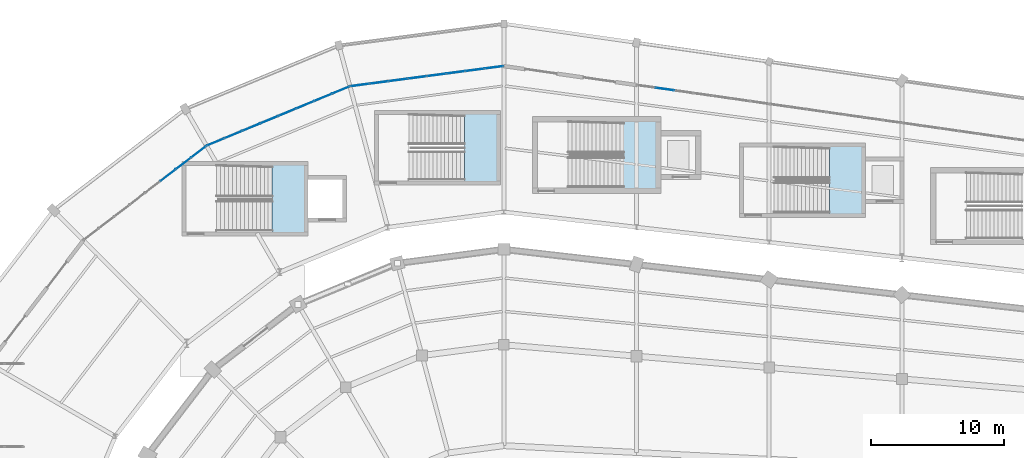
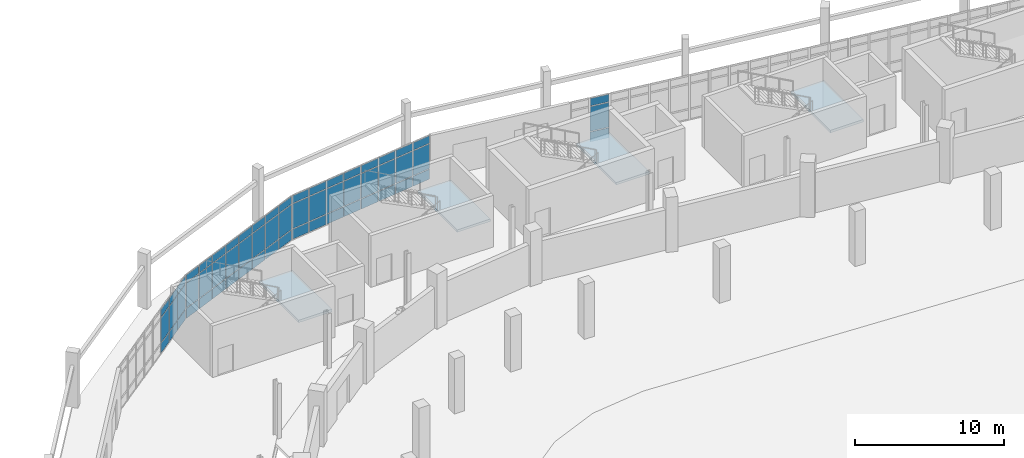
# One storey, part 88 of 122: 60 plates, 4 slabs, 8 elements without a shape of their own.
"""IFC4 building model written with IfcOpenShell, lengths in metres."""

from ifc_helpers import new_model, si_unit, direction, frame, origin, origin_2d, place, context, subcontext, project, spatial, polyline, rectangle, outline, extrude, material, layer, layer_set, type_object, element, aggregate, save


model = new_model("IFC4")

# Units and contexts
model_context = context("Model", 3, precision=1e-05, world=origin(), true_north=direction((0.0, 1.0)))
body_context = subcontext(model_context, "Body", "Model", "MODEL_VIEW")
ifc_project = project(units=[si_unit("LENGTHUNIT", "METRE"), si_unit("AREAUNIT", "SQUARE_METRE"), si_unit("VOLUMEUNIT", "CUBIC_METRE"), si_unit("PLANEANGLEUNIT", "RADIAN"), si_unit("MASSUNIT", "GRAM", prefix="KILO")], contexts=[model_context])

# Site, building, storey
site_placement = place(None, origin())
site = spatial("IfcSite", under=ifc_project, at=site_placement, CompositionType="ELEMENT")
building_placement = place(site_placement, origin())
building = spatial("IfcBuilding", under=site, at=building_placement, Name="Sohan Crest Arena", CompositionType="ELEMENT")
storey_placement = place(building_placement, origin())
storey = spatial("IfcBuildingStorey", under=building, at=storey_placement, Name="L00", CompositionType="ELEMENT", Elevation=0.0)

# Curtain wall, plates
ifc_material_1 = material(Name="Thermally broken anodised aluminium", Category="aluminium")
ifc_layer_1 = layer(ifc_material_1, 0.179931640625, Name="Thermally broken anodised aluminium")
ifc_layer_set_1 = layer_set([ifc_layer_1], Name="Thermally broken anodised aluminium")
curtain_wall_type = type_object("IfcCurtainWallType", Name="ARC-CW01", PredefinedType="NOTDEFINED", material=ifc_layer_set_1)
curtain_wall_1_placement = place(storey_placement, origin())
curtain_wall_1 = element("IfcCurtainWall", 1, at=curtain_wall_1_placement, inside=storey, type_object=curtain_wall_type, Name="Unitised curtain wall CW-001", PredefinedType="NOTDEFINED")
ifc_material_2 = material(Name="Low-E double-glazed insulated glass", Category="glass")
ifc_layer_2 = layer(ifc_material_2, 0.028076171875, Name="Low-E double-glazed insulated glass")
ifc_layer_set_2 = layer_set([ifc_layer_2], Name="Low-E double-glazed insulated glass")
plate_type = type_object("IfcPlateType", Name="ARC-CNP01", PredefinedType="CURTAIN_PANEL", material=ifc_layer_set_2)
plate_1_placement = place(storey_placement, frame((97.260498046875, 122.70263671875, 0.06005859375), z_axis=(0.0, 0.0, 1.0), x_axis=(-0.991439446395, -0.13056731648, 0.0)))
plate_1 = element("IfcPlate", 2, at=plate_1_placement, type_object=plate_type, Name="CW-001 panel 1.1", PredefinedType="CURTAIN_PANEL", context=body_context, shape_type="SweptSolid", body=[
    extrude(rectangle(XDim=1.371826171875, YDim=0.028076171875, at=origin_2d()), origin(), (0.0, 0.0, 1.0), 0.81005859375),
])
plate_2_placement = place(storey_placement, frame((97.260498046875, 122.70263671875, 0.929931640625), z_axis=(0.0, 0.0, 1.0), x_axis=(-0.991439446395, -0.13056731648, 0.0)))
plate_2 = element("IfcPlate", 3, at=plate_2_placement, type_object=plate_type, Name="CW-001 panel 1.2", PredefinedType="CURTAIN_PANEL", context=body_context, shape_type="SweptSolid", body=[
    extrude(rectangle(XDim=1.371826171875, YDim=0.028076171875, at=origin_2d()), origin(), (0.0, 0.0, 1.0), 2.02001953125),
])
plate_3_placement = place(storey_placement, frame((97.260498046875, 122.70263671875, 3.009765625), z_axis=(0.0, 0.0, 1.0), x_axis=(-0.991439446395, -0.13056731648, 0.0)))
plate_3 = element("IfcPlate", 4, at=plate_3_placement, type_object=plate_type, Name="CW-001 panel 1.3", PredefinedType="CURTAIN_PANEL", context=body_context, shape_type="SweptSolid", body=[
    extrude(rectangle(XDim=1.371826171875, YDim=0.028076171875, at=origin_2d()), origin(), (0.0, 0.0, 1.0), 0.610107421875),
])
plate_4_placement = place(storey_placement, frame((95.825927734375, 122.513671875, 0.06005859375), z_axis=(0.0, 0.0, 1.0), x_axis=(-0.991439446395, -0.13056731648, 0.0)))
plate_4 = element("IfcPlate", 5, at=plate_4_placement, type_object=plate_type, Name="CW-001 panel 2.1", PredefinedType="CURTAIN_PANEL", context=body_context, shape_type="SweptSolid", body=[
    extrude(rectangle(XDim=1.40185546875, YDim=0.028076171875, at=origin_2d()), origin(), (0.0, 0.0, 1.0), 0.81005859375),
])
plate_5_placement = place(storey_placement, frame((95.825927734375, 122.513671875, 0.929931640625), z_axis=(0.0, 0.0, 1.0), x_axis=(-0.991439446395, -0.13056731648, 0.0)))
plate_5 = element("IfcPlate", 6, at=plate_5_placement, type_object=plate_type, Name="CW-001 panel 2.2", PredefinedType="CURTAIN_PANEL", context=body_context, shape_type="SweptSolid", body=[
    extrude(rectangle(XDim=1.40185546875, YDim=0.028076171875, at=origin_2d()), origin(), (0.0, 0.0, 1.0), 2.02001953125),
])
plate_6_placement = place(storey_placement, frame((95.825927734375, 122.513671875, 3.009765625), z_axis=(0.0, 0.0, 1.0), x_axis=(-0.991439446395, -0.13056731648, 0.0)))
plate_6 = element("IfcPlate", 7, at=plate_6_placement, type_object=plate_type, Name="CW-001 panel 2.3", PredefinedType="CURTAIN_PANEL", context=body_context, shape_type="SweptSolid", body=[
    extrude(rectangle(XDim=1.40185546875, YDim=0.028076171875, at=origin_2d()), origin(), (0.0, 0.0, 1.0), 0.610107421875),
])
plate_7_placement = place(storey_placement, frame((94.37646484375, 122.32275390625, 0.06005859375), z_axis=(0.0, 0.0, 1.0), x_axis=(-0.991439446395, -0.13056731648, 0.0)))
plate_7 = element("IfcPlate", 8, at=plate_7_placement, type_object=plate_type, Name="CW-001 panel 3.1", PredefinedType="CURTAIN_PANEL", context=body_context, shape_type="SweptSolid", body=[
    extrude(rectangle(XDim=1.40185546875, YDim=0.028076171875, at=origin_2d()), origin(), (0.0, 0.0, 1.0), 0.81005859375),
])
plate_8_placement = place(storey_placement, frame((94.37646484375, 122.32275390625, 0.929931640625), z_axis=(0.0, 0.0, 1.0), x_axis=(-0.991439446395, -0.13056731648, 0.0)))
plate_8 = element("IfcPlate", 9, at=plate_8_placement, type_object=plate_type, Name="CW-001 panel 3.2", PredefinedType="CURTAIN_PANEL", context=body_context, shape_type="SweptSolid", body=[
    extrude(rectangle(XDim=1.40185546875, YDim=0.028076171875, at=origin_2d()), origin(), (0.0, 0.0, 1.0), 2.02001953125),
])
plate_9_placement = place(storey_placement, frame((94.37646484375, 122.32275390625, 3.009765625), z_axis=(0.0, 0.0, 1.0), x_axis=(-0.991439446395, -0.13056731648, 0.0)))
plate_9 = element("IfcPlate", 10, at=plate_9_placement, type_object=plate_type, Name="CW-001 panel 3.3", PredefinedType="CURTAIN_PANEL", context=body_context, shape_type="SweptSolid", body=[
    extrude(rectangle(XDim=1.40185546875, YDim=0.028076171875, at=origin_2d()), origin(), (0.0, 0.0, 1.0), 0.610107421875),
])
plate_10_placement = place(storey_placement, frame((92.92724609375, 122.1318359375, 0.06005859375), z_axis=(0.0, 0.0, 1.0), x_axis=(-0.991439446395, -0.13056731648, 0.0)))
plate_10 = element("IfcPlate", 11, at=plate_10_placement, type_object=plate_type, Name="CW-001 panel 4.1", PredefinedType="CURTAIN_PANEL", context=body_context, shape_type="SweptSolid", body=[
    extrude(rectangle(XDim=1.40185546875, YDim=0.028076171875, at=origin_2d()), origin(), (0.0, 0.0, 1.0), 0.81005859375),
])
plate_11_placement = place(storey_placement, frame((92.92724609375, 122.1318359375, 0.929931640625), z_axis=(0.0, 0.0, 1.0), x_axis=(-0.991439446395, -0.13056731648, 0.0)))
plate_11 = element("IfcPlate", 12, at=plate_11_placement, type_object=plate_type, Name="CW-001 panel 4.2", PredefinedType="CURTAIN_PANEL", context=body_context, shape_type="SweptSolid", body=[
    extrude(rectangle(XDim=1.40185546875, YDim=0.028076171875, at=origin_2d()), origin(), (0.0, 0.0, 1.0), 2.02001953125),
])
plate_12_placement = place(storey_placement, frame((92.92724609375, 122.1318359375, 3.009765625), z_axis=(0.0, 0.0, 1.0), x_axis=(-0.991439446395, -0.13056731648, 0.0)))
plate_12 = element("IfcPlate", 13, at=plate_12_placement, type_object=plate_type, Name="CW-001 panel 4.3", PredefinedType="CURTAIN_PANEL", context=body_context, shape_type="SweptSolid", body=[
    extrude(rectangle(XDim=1.40185546875, YDim=0.028076171875, at=origin_2d()), origin(), (0.0, 0.0, 1.0), 0.610107421875),
])
plate_13_placement = place(storey_placement, frame((91.477783203125, 121.941162109375, 0.06005859375), z_axis=(0.0, 0.0, 1.0), x_axis=(-0.991439446395, -0.13056731648, 0.0)))
plate_13 = element("IfcPlate", 14, at=plate_13_placement, type_object=plate_type, Name="CW-001 panel 5.1", PredefinedType="CURTAIN_PANEL", context=body_context, shape_type="SweptSolid", body=[
    extrude(rectangle(XDim=1.40185546875, YDim=0.028076171875, at=origin_2d()), origin(), (0.0, 0.0, 1.0), 0.81005859375),
])
plate_14_placement = place(storey_placement, frame((91.477783203125, 121.941162109375, 0.929931640625), z_axis=(0.0, 0.0, 1.0), x_axis=(-0.991439446395, -0.13056731648, 0.0)))
plate_14 = element("IfcPlate", 15, at=plate_14_placement, type_object=plate_type, Name="CW-001 panel 5.2", PredefinedType="CURTAIN_PANEL", context=body_context, shape_type="SweptSolid", body=[
    extrude(rectangle(XDim=1.40185546875, YDim=0.028076171875, at=origin_2d()), origin(), (0.0, 0.0, 1.0), 2.02001953125),
])
plate_15_placement = place(storey_placement, frame((91.477783203125, 121.941162109375, 3.009765625), z_axis=(0.0, 0.0, 1.0), x_axis=(-0.991439446395, -0.13056731648, 0.0)))
plate_15 = element("IfcPlate", 16, at=plate_15_placement, type_object=plate_type, Name="CW-001 panel 5.3", PredefinedType="CURTAIN_PANEL", context=body_context, shape_type="SweptSolid", body=[
    extrude(rectangle(XDim=1.40185546875, YDim=0.028076171875, at=origin_2d()), origin(), (0.0, 0.0, 1.0), 0.610107421875),
])
plate_16_placement = place(storey_placement, frame((90.0283203125, 121.750244140625, 0.06005859375), z_axis=(0.0, 0.0, 1.0), x_axis=(-0.991439446395, -0.13056731648, 0.0)))
plate_16 = element("IfcPlate", 17, at=plate_16_placement, type_object=plate_type, Name="CW-001 panel 6.1", PredefinedType="CURTAIN_PANEL", context=body_context, shape_type="SweptSolid", body=[
    extrude(rectangle(XDim=1.40185546875, YDim=0.028076171875, at=origin_2d()), origin(), (0.0, 0.0, 1.0), 0.81005859375),
])
plate_17_placement = place(storey_placement, frame((90.0283203125, 121.750244140625, 0.929931640625), z_axis=(0.0, 0.0, 1.0), x_axis=(-0.991439446395, -0.13056731648, 0.0)))
plate_17 = element("IfcPlate", 18, at=plate_17_placement, type_object=plate_type, Name="CW-001 panel 6.2", PredefinedType="CURTAIN_PANEL", context=body_context, shape_type="SweptSolid", body=[
    extrude(rectangle(XDim=1.40185546875, YDim=0.028076171875, at=origin_2d()), origin(), (0.0, 0.0, 1.0), 2.02001953125),
])
plate_18_placement = place(storey_placement, frame((90.0283203125, 121.750244140625, 3.009765625), z_axis=(0.0, 0.0, 1.0), x_axis=(-0.991439446395, -0.13056731648, 0.0)))
plate_18 = element("IfcPlate", 19, at=plate_18_placement, type_object=plate_type, Name="CW-001 panel 6.3", PredefinedType="CURTAIN_PANEL", context=body_context, shape_type="SweptSolid", body=[
    extrude(rectangle(XDim=1.40185546875, YDim=0.028076171875, at=origin_2d()), origin(), (0.0, 0.0, 1.0), 0.610107421875),
])
plate_19_placement = place(storey_placement, frame((88.5791015625, 121.559326171875, 0.06005859375), z_axis=(0.0, 0.0, 1.0), x_axis=(-0.991439446395, -0.13056731648, 0.0)))
plate_19 = element("IfcPlate", 20, at=plate_19_placement, type_object=plate_type, Name="CW-001 panel 7.1", PredefinedType="CURTAIN_PANEL", context=body_context, shape_type="SweptSolid", body=[
    extrude(rectangle(XDim=1.40185546875, YDim=0.028076171875, at=origin_2d()), origin(), (0.0, 0.0, 1.0), 0.81005859375),
])
plate_20_placement = place(storey_placement, frame((88.5791015625, 121.559326171875, 0.929931640625), z_axis=(0.0, 0.0, 1.0), x_axis=(-0.991439446395, -0.13056731648, 0.0)))
plate_20 = element("IfcPlate", 21, at=plate_20_placement, type_object=plate_type, Name="CW-001 panel 7.2", PredefinedType="CURTAIN_PANEL", context=body_context, shape_type="SweptSolid", body=[
    extrude(rectangle(XDim=1.40185546875, YDim=0.028076171875, at=origin_2d()), origin(), (0.0, 0.0, 1.0), 2.02001953125),
])
plate_21_placement = place(storey_placement, frame((88.5791015625, 121.559326171875, 3.009765625), z_axis=(0.0, 0.0, 1.0), x_axis=(-0.991439446395, -0.13056731648, 0.0)))
plate_21 = element("IfcPlate", 22, at=plate_21_placement, type_object=plate_type, Name="CW-001 panel 7.3", PredefinedType="CURTAIN_PANEL", context=body_context, shape_type="SweptSolid", body=[
    extrude(rectangle(XDim=1.40185546875, YDim=0.028076171875, at=origin_2d()), origin(), (0.0, 0.0, 1.0), 0.610107421875),
])
plate_22_placement = place(storey_placement, frame((87.14453125, 121.370361328125, 0.06005859375), z_axis=(0.0, 0.0, 1.0), x_axis=(-0.991439446395, -0.13056731648, 0.0)))
plate_22 = element("IfcPlate", 23, at=plate_22_placement, type_object=plate_type, Name="CW-001 panel 8.1", PredefinedType="CURTAIN_PANEL", context=body_context, shape_type="SweptSolid", body=[
    extrude(rectangle(XDim=1.371826171875, YDim=0.028076171875, at=origin_2d()), origin(), (0.0, 0.0, 1.0), 0.81005859375),
])
plate_23_placement = place(storey_placement, frame((87.14453125, 121.370361328125, 0.929931640625), z_axis=(0.0, 0.0, 1.0), x_axis=(-0.991439446395, -0.13056731648, 0.0)))
plate_23 = element("IfcPlate", 24, at=plate_23_placement, type_object=plate_type, Name="CW-001 panel 8.2", PredefinedType="CURTAIN_PANEL", context=body_context, shape_type="SweptSolid", body=[
    extrude(rectangle(XDim=1.371826171875, YDim=0.028076171875, at=origin_2d()), origin(), (0.0, 0.0, 1.0), 2.02001953125),
])
plate_24_placement = place(storey_placement, frame((87.14453125, 121.370361328125, 3.009765625), z_axis=(0.0, 0.0, 1.0), x_axis=(-0.991439446395, -0.13056731648, 0.0)))
plate_24 = element("IfcPlate", 25, at=plate_24_placement, type_object=plate_type, Name="CW-001 panel 8.3", PredefinedType="CURTAIN_PANEL", context=body_context, shape_type="SweptSolid", body=[
    extrude(rectangle(XDim=1.371826171875, YDim=0.028076171875, at=origin_2d()), origin(), (0.0, 0.0, 1.0), 0.610107421875),
])
aggregate(curtain_wall_1, [plate_1, plate_2, plate_3, plate_4, plate_5, plate_6, plate_7, plate_8, plate_9, plate_10, plate_11, plate_12, plate_13, plate_14, plate_15, plate_16, plate_17, plate_18, plate_19, plate_20, plate_21, plate_22, plate_23, plate_24])

curtain_wall_2_placement = place(storey_placement, origin())
curtain_wall_2 = element("IfcCurtainWall", 26, at=curtain_wall_2_placement, inside=storey, type_object=curtain_wall_type, Name="Unitised curtain wall CW-002", PredefinedType="NOTDEFINED")
plate_25_placement = place(storey_placement, frame((85.7158203125, 120.987548828125, 0.06005859375), z_axis=(0.0, 0.0, 1.0), x_axis=(-0.923896991255, -0.38264128051, 0.0)))
plate_25 = element("IfcPlate", 27, at=plate_25_placement, type_object=plate_type, Name="CW-002 panel 1.1", PredefinedType="CURTAIN_PANEL", context=body_context, shape_type="SweptSolid", body=[
    extrude(rectangle(XDim=1.371826171875, YDim=0.028076171875, at=origin_2d()), origin(), (0.0, 0.0, 1.0), 0.81005859375),
])
plate_26_placement = place(storey_placement, frame((85.7158203125, 120.987548828125, 0.929931640625), z_axis=(0.0, 0.0, 1.0), x_axis=(-0.923896991255, -0.38264128051, 0.0)))
plate_26 = element("IfcPlate", 28, at=plate_26_placement, type_object=plate_type, Name="CW-002 panel 1.2", PredefinedType="CURTAIN_PANEL", context=body_context, shape_type="SweptSolid", body=[
    extrude(rectangle(XDim=1.371826171875, YDim=0.028076171875, at=origin_2d()), origin(), (0.0, 0.0, 1.0), 2.02001953125),
])
plate_27_placement = place(storey_placement, frame((85.7158203125, 120.987548828125, 3.009765625), z_axis=(0.0, 0.0, 1.0), x_axis=(-0.923896991255, -0.38264128051, 0.0)))
plate_27 = element("IfcPlate", 29, at=plate_27_placement, type_object=plate_type, Name="CW-002 panel 1.3", PredefinedType="CURTAIN_PANEL", context=body_context, shape_type="SweptSolid", body=[
    extrude(rectangle(XDim=1.371826171875, YDim=0.028076171875, at=origin_2d()), origin(), (0.0, 0.0, 1.0), 0.610107421875),
])
plate_28_placement = place(storey_placement, frame((84.379150390625, 120.433837890625, 0.06005859375), z_axis=(0.0, 0.0, 1.0), x_axis=(-0.923896991255, -0.38264128051, 0.0)))
plate_28 = element("IfcPlate", 30, at=plate_28_placement, type_object=plate_type, Name="CW-002 panel 2.1", PredefinedType="CURTAIN_PANEL", context=body_context, shape_type="SweptSolid", body=[
    extrude(rectangle(XDim=1.40185546875, YDim=0.028076171875, at=origin_2d()), origin(), (0.0, 0.0, 1.0), 0.81005859375),
])
plate_29_placement = place(storey_placement, frame((84.379150390625, 120.433837890625, 0.929931640625), z_axis=(0.0, 0.0, 1.0), x_axis=(-0.923896991255, -0.38264128051, 0.0)))
plate_29 = element("IfcPlate", 31, at=plate_29_placement, type_object=plate_type, Name="CW-002 panel 2.2", PredefinedType="CURTAIN_PANEL", context=body_context, shape_type="SweptSolid", body=[
    extrude(rectangle(XDim=1.40185546875, YDim=0.028076171875, at=origin_2d()), origin(), (0.0, 0.0, 1.0), 2.02001953125),
])
plate_30_placement = place(storey_placement, frame((84.379150390625, 120.433837890625, 3.009765625), z_axis=(0.0, 0.0, 1.0), x_axis=(-0.923896991255, -0.38264128051, 0.0)))
plate_30 = element("IfcPlate", 32, at=plate_30_placement, type_object=plate_type, Name="CW-002 panel 2.3", PredefinedType="CURTAIN_PANEL", context=body_context, shape_type="SweptSolid", body=[
    extrude(rectangle(XDim=1.40185546875, YDim=0.028076171875, at=origin_2d()), origin(), (0.0, 0.0, 1.0), 0.610107421875),
])
plate_31_placement = place(storey_placement, frame((83.0283203125, 119.87451171875, 0.06005859375), z_axis=(0.0, 0.0, 1.0), x_axis=(-0.923896991255, -0.38264128051, 0.0)))
plate_31 = element("IfcPlate", 33, at=plate_31_placement, type_object=plate_type, Name="CW-002 panel 3.1", PredefinedType="CURTAIN_PANEL", context=body_context, shape_type="SweptSolid", body=[
    extrude(rectangle(XDim=1.40185546875, YDim=0.028076171875, at=origin_2d()), origin(), (0.0, 0.0, 1.0), 0.81005859375),
])
plate_32_placement = place(storey_placement, frame((83.0283203125, 119.87451171875, 0.929931640625), z_axis=(0.0, 0.0, 1.0), x_axis=(-0.923896991255, -0.38264128051, 0.0)))
plate_32 = element("IfcPlate", 34, at=plate_32_placement, type_object=plate_type, Name="CW-002 panel 3.2", PredefinedType="CURTAIN_PANEL", context=body_context, shape_type="SweptSolid", body=[
    extrude(rectangle(XDim=1.40185546875, YDim=0.028076171875, at=origin_2d()), origin(), (0.0, 0.0, 1.0), 2.02001953125),
])
plate_33_placement = place(storey_placement, frame((83.0283203125, 119.87451171875, 3.009765625), z_axis=(0.0, 0.0, 1.0), x_axis=(-0.923896991255, -0.38264128051, 0.0)))
plate_33 = element("IfcPlate", 35, at=plate_33_placement, type_object=plate_type, Name="CW-002 panel 3.3", PredefinedType="CURTAIN_PANEL", context=body_context, shape_type="SweptSolid", body=[
    extrude(rectangle(XDim=1.40185546875, YDim=0.028076171875, at=origin_2d()), origin(), (0.0, 0.0, 1.0), 0.610107421875),
])
plate_34_placement = place(storey_placement, frame((81.677734375, 119.315185546875, 0.06005859375), z_axis=(0.0, 0.0, 1.0), x_axis=(-0.923896991255, -0.38264128051, 0.0)))
plate_34 = element("IfcPlate", 36, at=plate_34_placement, type_object=plate_type, Name="CW-002 panel 4.1", PredefinedType="CURTAIN_PANEL", context=body_context, shape_type="SweptSolid", body=[
    extrude(rectangle(XDim=1.40185546875, YDim=0.028076171875, at=origin_2d()), origin(), (0.0, 0.0, 1.0), 0.81005859375),
])
plate_35_placement = place(storey_placement, frame((81.677734375, 119.315185546875, 0.929931640625), z_axis=(0.0, 0.0, 1.0), x_axis=(-0.923896991255, -0.38264128051, 0.0)))
plate_35 = element("IfcPlate", 37, at=plate_35_placement, type_object=plate_type, Name="CW-002 panel 4.2", PredefinedType="CURTAIN_PANEL", context=body_context, shape_type="SweptSolid", body=[
    extrude(rectangle(XDim=1.40185546875, YDim=0.028076171875, at=origin_2d()), origin(), (0.0, 0.0, 1.0), 2.02001953125),
])
plate_36_placement = place(storey_placement, frame((81.677734375, 119.315185546875, 3.009765625), z_axis=(0.0, 0.0, 1.0), x_axis=(-0.923896991255, -0.38264128051, 0.0)))
plate_36 = element("IfcPlate", 38, at=plate_36_placement, type_object=plate_type, Name="CW-002 panel 4.3", PredefinedType="CURTAIN_PANEL", context=body_context, shape_type="SweptSolid", body=[
    extrude(rectangle(XDim=1.40185546875, YDim=0.028076171875, at=origin_2d()), origin(), (0.0, 0.0, 1.0), 0.610107421875),
])
plate_37_placement = place(storey_placement, frame((80.3271484375, 118.755859375, 0.06005859375), z_axis=(0.0, 0.0, 1.0), x_axis=(-0.923896991255, -0.38264128051, 0.0)))
plate_37 = element("IfcPlate", 39, at=plate_37_placement, type_object=plate_type, Name="CW-002 panel 5.1", PredefinedType="CURTAIN_PANEL", context=body_context, shape_type="SweptSolid", body=[
    extrude(rectangle(XDim=1.40185546875, YDim=0.028076171875, at=origin_2d()), origin(), (0.0, 0.0, 1.0), 0.81005859375),
])
plate_38_placement = place(storey_placement, frame((80.3271484375, 118.755859375, 0.929931640625), z_axis=(0.0, 0.0, 1.0), x_axis=(-0.923896991255, -0.38264128051, 0.0)))
plate_38 = element("IfcPlate", 40, at=plate_38_placement, type_object=plate_type, Name="CW-002 panel 5.2", PredefinedType="CURTAIN_PANEL", context=body_context, shape_type="SweptSolid", body=[
    extrude(rectangle(XDim=1.40185546875, YDim=0.028076171875, at=origin_2d()), origin(), (0.0, 0.0, 1.0), 2.02001953125),
])
plate_39_placement = place(storey_placement, frame((80.3271484375, 118.755859375, 3.009765625), z_axis=(0.0, 0.0, 1.0), x_axis=(-0.923896991255, -0.38264128051, 0.0)))
plate_39 = element("IfcPlate", 41, at=plate_39_placement, type_object=plate_type, Name="CW-002 panel 5.3", PredefinedType="CURTAIN_PANEL", context=body_context, shape_type="SweptSolid", body=[
    extrude(rectangle(XDim=1.40185546875, YDim=0.028076171875, at=origin_2d()), origin(), (0.0, 0.0, 1.0), 0.610107421875),
])
plate_40_placement = place(storey_placement, frame((78.9765625, 118.196533203125, 0.06005859375), z_axis=(0.0, 0.0, 1.0), x_axis=(-0.923896991255, -0.38264128051, 0.0)))
plate_40 = element("IfcPlate", 42, at=plate_40_placement, type_object=plate_type, Name="CW-002 panel 6.1", PredefinedType="CURTAIN_PANEL", context=body_context, shape_type="SweptSolid", body=[
    extrude(rectangle(XDim=1.40185546875, YDim=0.028076171875, at=origin_2d()), origin(), (0.0, 0.0, 1.0), 0.81005859375),
])
plate_41_placement = place(storey_placement, frame((78.9765625, 118.196533203125, 0.929931640625), z_axis=(0.0, 0.0, 1.0), x_axis=(-0.923896991255, -0.38264128051, 0.0)))
plate_41 = element("IfcPlate", 43, at=plate_41_placement, type_object=plate_type, Name="CW-002 panel 6.2", PredefinedType="CURTAIN_PANEL", context=body_context, shape_type="SweptSolid", body=[
    extrude(rectangle(XDim=1.40185546875, YDim=0.028076171875, at=origin_2d()), origin(), (0.0, 0.0, 1.0), 2.02001953125),
])
plate_42_placement = place(storey_placement, frame((78.9765625, 118.196533203125, 3.009765625), z_axis=(0.0, 0.0, 1.0), x_axis=(-0.923896991255, -0.38264128051, 0.0)))
plate_42 = element("IfcPlate", 44, at=plate_42_placement, type_object=plate_type, Name="CW-002 panel 6.3", PredefinedType="CURTAIN_PANEL", context=body_context, shape_type="SweptSolid", body=[
    extrude(rectangle(XDim=1.40185546875, YDim=0.028076171875, at=origin_2d()), origin(), (0.0, 0.0, 1.0), 0.610107421875),
])
plate_43_placement = place(storey_placement, frame((77.6259765625, 117.636962890625, 0.06005859375), z_axis=(0.0, 0.0, 1.0), x_axis=(-0.923896991255, -0.38264128051, 0.0)))
plate_43 = element("IfcPlate", 45, at=plate_43_placement, type_object=plate_type, Name="CW-002 panel 7.1", PredefinedType="CURTAIN_PANEL", context=body_context, shape_type="SweptSolid", body=[
    extrude(rectangle(XDim=1.40185546875, YDim=0.028076171875, at=origin_2d()), origin(), (0.0, 0.0, 1.0), 0.81005859375),
])
plate_44_placement = place(storey_placement, frame((77.6259765625, 117.636962890625, 0.929931640625), z_axis=(0.0, 0.0, 1.0), x_axis=(-0.923896991255, -0.38264128051, 0.0)))
plate_44 = element("IfcPlate", 46, at=plate_44_placement, type_object=plate_type, Name="CW-002 panel 7.2", PredefinedType="CURTAIN_PANEL", context=body_context, shape_type="SweptSolid", body=[
    extrude(rectangle(XDim=1.40185546875, YDim=0.028076171875, at=origin_2d()), origin(), (0.0, 0.0, 1.0), 2.02001953125),
])
plate_45_placement = place(storey_placement, frame((77.6259765625, 117.636962890625, 3.009765625), z_axis=(0.0, 0.0, 1.0), x_axis=(-0.923896991255, -0.38264128051, 0.0)))
plate_45 = element("IfcPlate", 47, at=plate_45_placement, type_object=plate_type, Name="CW-002 panel 7.3", PredefinedType="CURTAIN_PANEL", context=body_context, shape_type="SweptSolid", body=[
    extrude(rectangle(XDim=1.40185546875, YDim=0.028076171875, at=origin_2d()), origin(), (0.0, 0.0, 1.0), 0.610107421875),
])
plate_46_placement = place(storey_placement, frame((76.2890625, 117.08349609375, 0.06005859375), z_axis=(0.0, 0.0, 1.0), x_axis=(-0.923896991255, -0.38264128051, 0.0)))
plate_46 = element("IfcPlate", 48, at=plate_46_placement, type_object=plate_type, Name="CW-002 panel 8.1", PredefinedType="CURTAIN_PANEL", context=body_context, shape_type="SweptSolid", body=[
    extrude(rectangle(XDim=1.371826171875, YDim=0.028076171875, at=origin_2d()), origin(), (0.0, 0.0, 1.0), 0.81005859375),
])
plate_47_placement = place(storey_placement, frame((76.2890625, 117.08349609375, 0.929931640625), z_axis=(0.0, 0.0, 1.0), x_axis=(-0.923896991255, -0.38264128051, 0.0)))
plate_47 = element("IfcPlate", 49, at=plate_47_placement, type_object=plate_type, Name="CW-002 panel 8.2", PredefinedType="CURTAIN_PANEL", context=body_context, shape_type="SweptSolid", body=[
    extrude(rectangle(XDim=1.371826171875, YDim=0.028076171875, at=origin_2d()), origin(), (0.0, 0.0, 1.0), 2.02001953125),
])
plate_48_placement = place(storey_placement, frame((76.2890625, 117.08349609375, 3.009765625), z_axis=(0.0, 0.0, 1.0), x_axis=(-0.923896991255, -0.38264128051, 0.0)))
plate_48 = element("IfcPlate", 50, at=plate_48_placement, type_object=plate_type, Name="CW-002 panel 8.3", PredefinedType="CURTAIN_PANEL", context=body_context, shape_type="SweptSolid", body=[
    extrude(rectangle(XDim=1.371826171875, YDim=0.028076171875, at=origin_2d()), origin(), (0.0, 0.0, 1.0), 0.610107421875),
])
aggregate(curtain_wall_2, [plate_25, plate_26, plate_27, plate_28, plate_29, plate_30, plate_31, plate_32, plate_33, plate_34, plate_35, plate_36, plate_37, plate_38, plate_39, plate_40, plate_41, plate_42, plate_43, plate_44, plate_45, plate_46, plate_47, plate_48])

curtain_wall_3_placement = place(storey_placement, origin())
curtain_wall_3 = element("IfcCurtainWall", 51, at=curtain_wall_3_placement, inside=storey, type_object=curtain_wall_type, Name="Unitised curtain wall CW-003", PredefinedType="NOTDEFINED")
plate_49_placement = place(storey_placement, frame((75.00830078125, 116.34375, 0.06005859375), z_axis=(0.0, 0.0, 1.0), x_axis=(-0.79332277167, -0.608801264741, 0.0)))
plate_49 = element("IfcPlate", 52, at=plate_49_placement, type_object=plate_type, Name="CW-003 panel 1.1", PredefinedType="CURTAIN_PANEL", context=body_context, shape_type="SweptSolid", body=[
    extrude(rectangle(XDim=1.371826171875, YDim=0.028076171875, at=origin_2d()), origin(), (0.0, 0.0, 1.0), 0.81005859375),
])
plate_50_placement = place(storey_placement, frame((75.00830078125, 116.34375, 0.929931640625), z_axis=(0.0, 0.0, 1.0), x_axis=(-0.79332277167, -0.608801264741, 0.0)))
plate_50 = element("IfcPlate", 53, at=plate_50_placement, type_object=plate_type, Name="CW-003 panel 1.2", PredefinedType="CURTAIN_PANEL", context=body_context, shape_type="SweptSolid", body=[
    extrude(rectangle(XDim=1.371826171875, YDim=0.028076171875, at=origin_2d()), origin(), (0.0, 0.0, 1.0), 2.02001953125),
])
plate_51_placement = place(storey_placement, frame((75.00830078125, 116.34375, 3.009765625), z_axis=(0.0, 0.0, 1.0), x_axis=(-0.79332277167, -0.608801264741, 0.0)))
plate_51 = element("IfcPlate", 54, at=plate_51_placement, type_object=plate_type, Name="CW-003 panel 1.3", PredefinedType="CURTAIN_PANEL", context=body_context, shape_type="SweptSolid", body=[
    extrude(rectangle(XDim=1.371826171875, YDim=0.028076171875, at=origin_2d()), origin(), (0.0, 0.0, 1.0), 0.610107421875),
])
plate_52_placement = place(storey_placement, frame((73.8603515625, 115.462890625, 0.06005859375), z_axis=(0.0, 0.0, 1.0), x_axis=(-0.79332277167, -0.608801264741, 0.0)))
plate_52 = element("IfcPlate", 55, at=plate_52_placement, type_object=plate_type, Name="CW-003 panel 2.1", PredefinedType="CURTAIN_PANEL", context=body_context, shape_type="SweptSolid", body=[
    extrude(rectangle(XDim=1.40185546875, YDim=0.028076171875, at=origin_2d()), origin(), (0.0, 0.0, 1.0), 0.81005859375),
])
plate_53_placement = place(storey_placement, frame((73.8603515625, 115.462890625, 0.929931640625), z_axis=(0.0, 0.0, 1.0), x_axis=(-0.79332277167, -0.608801264741, 0.0)))
plate_53 = element("IfcPlate", 56, at=plate_53_placement, type_object=plate_type, Name="CW-003 panel 2.2", PredefinedType="CURTAIN_PANEL", context=body_context, shape_type="SweptSolid", body=[
    extrude(rectangle(XDim=1.40185546875, YDim=0.028076171875, at=origin_2d()), origin(), (0.0, 0.0, 1.0), 2.02001953125),
])
plate_54_placement = place(storey_placement, frame((73.8603515625, 115.462890625, 3.009765625), z_axis=(0.0, 0.0, 1.0), x_axis=(-0.79332277167, -0.608801264741, 0.0)))
plate_54 = element("IfcPlate", 57, at=plate_54_placement, type_object=plate_type, Name="CW-003 panel 2.3", PredefinedType="CURTAIN_PANEL", context=body_context, shape_type="SweptSolid", body=[
    extrude(rectangle(XDim=1.40185546875, YDim=0.028076171875, at=origin_2d()), origin(), (0.0, 0.0, 1.0), 0.610107421875),
])
plate_55_placement = place(storey_placement, frame((72.70068359375, 114.572998046875, 0.06005859375), z_axis=(0.0, 0.0, 1.0), x_axis=(-0.79332277167, -0.608801264741, 0.0)))
plate_55 = element("IfcPlate", 58, at=plate_55_placement, type_object=plate_type, Name="CW-003 panel 3.1", PredefinedType="CURTAIN_PANEL", context=body_context, shape_type="SweptSolid", body=[
    extrude(rectangle(XDim=1.40185546875, YDim=0.028076171875, at=origin_2d()), origin(), (0.0, 0.0, 1.0), 0.81005859375),
])
plate_56_placement = place(storey_placement, frame((72.70068359375, 114.572998046875, 0.929931640625), z_axis=(0.0, 0.0, 1.0), x_axis=(-0.79332277167, -0.608801264741, 0.0)))
plate_56 = element("IfcPlate", 59, at=plate_56_placement, type_object=plate_type, Name="CW-003 panel 3.2", PredefinedType="CURTAIN_PANEL", context=body_context, shape_type="SweptSolid", body=[
    extrude(rectangle(XDim=1.40185546875, YDim=0.028076171875, at=origin_2d()), origin(), (0.0, 0.0, 1.0), 2.02001953125),
])
plate_57_placement = place(storey_placement, frame((72.70068359375, 114.572998046875, 3.009765625), z_axis=(0.0, 0.0, 1.0), x_axis=(-0.79332277167, -0.608801264741, 0.0)))
plate_57 = element("IfcPlate", 60, at=plate_57_placement, type_object=plate_type, Name="CW-003 panel 3.3", PredefinedType="CURTAIN_PANEL", context=body_context, shape_type="SweptSolid", body=[
    extrude(rectangle(XDim=1.40185546875, YDim=0.028076171875, at=origin_2d()), origin(), (0.0, 0.0, 1.0), 0.610107421875),
])
aggregate(curtain_wall_3, [plate_49, plate_50, plate_51, plate_52, plate_53, plate_54, plate_55, plate_56, plate_57])

curtain_wall_4_placement = place(storey_placement, origin())
curtain_wall_4 = element("IfcCurtainWall", 61, at=curtain_wall_4_placement, inside=storey, type_object=curtain_wall_type, Name="Unitised curtain wall CW-019", PredefinedType="NOTDEFINED")
plate_58_placement = place(storey_placement, frame((110.142822265625, 121.06494140625, 0.06005859375), z_axis=(0.0, 0.0, 1.0), x_axis=(-0.989957411768, 0.141365918403, 0.0)))
plate_58 = element("IfcPlate", 62, at=plate_58_placement, type_object=plate_type, Name="CW-019 panel 6.1", PredefinedType="CURTAIN_PANEL", context=body_context, shape_type="SweptSolid", body=[
    extrude(rectangle(XDim=1.383056640625, YDim=0.028076171875, at=origin_2d()), origin(), (0.0, 0.0, 1.0), 0.81005859375),
])
plate_59_placement = place(storey_placement, frame((110.142822265625, 121.06494140625, 0.929931640625), z_axis=(0.0, 0.0, 1.0), x_axis=(-0.989957411768, 0.141365918403, 0.0)))
plate_59 = element("IfcPlate", 63, at=plate_59_placement, type_object=plate_type, Name="CW-019 panel 6.2", PredefinedType="CURTAIN_PANEL", context=body_context, shape_type="SweptSolid", body=[
    extrude(rectangle(XDim=1.383056640625, YDim=0.028076171875, at=origin_2d()), origin(), (0.0, 0.0, 1.0), 2.02001953125),
])
plate_60_placement = place(storey_placement, frame((110.142822265625, 121.06494140625, 3.009765625), z_axis=(0.0, 0.0, 1.0), x_axis=(-0.989957411768, 0.141365918403, 0.0)))
plate_60 = element("IfcPlate", 64, at=plate_60_placement, type_object=plate_type, Name="CW-019 panel 6.3", PredefinedType="CURTAIN_PANEL", context=body_context, shape_type="SweptSolid", body=[
    extrude(rectangle(XDim=1.383056640625, YDim=0.028076171875, at=origin_2d()), origin(), (0.0, 0.0, 1.0), 0.610107421875),
])
aggregate(curtain_wall_4, [plate_58, plate_59, plate_60])

# Stair, slab
ifc_material_3 = material(Name="Concrete C40/50", Category="concrete")
stair_type_1 = type_object("IfcStairType", Name="ST-450", PredefinedType="TWO_STRAIGHT_RUN_STAIR", material=ifc_material_3)
stair_1_placement = place(storey_placement, origin())
stair_1 = element("IfcStair", 65, at=stair_1_placement, inside=storey, type_object=stair_type_1, Name="Protected exit stair ST04-L00", PredefinedType="TWO_STRAIGHT_RUN_STAIR")
ifc_layer_3 = layer(ifc_material_3, 0.199951171875, Name="Concrete C40/50")
ifc_layer_set_3 = layer_set([ifc_layer_3], Name="Concrete C40/50")
slab_type = type_object("IfcSlabType", Name="SL-LND1", PredefinedType="LANDING", material=ifc_layer_set_3)
slab_1_placement = place(storey_placement, frame((0.0, 0.0, 2.050048828125)))
slab_1 = element("IfcSlab", 66, at=slab_1_placement, type_object=slab_type, Name="ST04-L00 landing 1", PredefinedType="LANDING", context=body_context, shape_type="SweptSolid", body=[
    extrude(outline(polyline([(80.530029296875, 110.14990234375), (83.10009765625, 110.14990234375), (83.10009765625, 115.449951171875), (80.530029296875, 115.449951171875), (80.530029296875, 110.14990234375)])), origin(), (0.0, 0.0, 1.0), 0.199951171875),
])
aggregate(stair_1, [slab_1])

stair_2_placement = place(storey_placement, origin())
stair_2 = element("IfcStair", 67, at=stair_2_placement, inside=storey, type_object=stair_type_1, Name="Protected exit stair ST06-L00", PredefinedType="TWO_STRAIGHT_RUN_STAIR")
slab_2_placement = place(storey_placement, frame((0.0, 0.0, 2.050048828125)))
slab_2 = element("IfcSlab", 68, at=slab_2_placement, type_object=slab_type, Name="ST06-L00 landing 1", PredefinedType="LANDING", context=body_context, shape_type="SweptSolid", body=[
    extrude(outline(polyline([(107.030029296875, 113.449951171875), (109.60009765625, 113.449951171875), (109.60009765625, 118.75), (107.030029296875, 118.75), (107.030029296875, 113.449951171875)])), origin(), (0.0, 0.0, 1.0), 0.199951171875),
])
aggregate(stair_2, [slab_2])

stair_3_placement = place(storey_placement, origin())
stair_3 = element("IfcStair", 69, at=stair_3_placement, inside=storey, type_object=stair_type_1, Name="Protected exit stair ST08-L00", PredefinedType="TWO_STRAIGHT_RUN_STAIR")
slab_3_placement = place(storey_placement, frame((0.0, 0.0, 2.050048828125)))
slab_3 = element("IfcSlab", 70, at=slab_3_placement, type_object=slab_type, Name="ST08-L00 landing 1", PredefinedType="LANDING", context=body_context, shape_type="SweptSolid", body=[
    extrude(outline(polyline([(122.530029296875, 111.550048828125), (125.10009765625, 111.550048828125), (125.10009765625, 116.85009765625), (122.530029296875, 116.85009765625), (122.530029296875, 111.550048828125)])), origin(), (0.0, 0.0, 1.0), 0.199951171875),
])
aggregate(stair_3, [slab_3])

stair_type_2 = type_object("IfcStairType", Name="ST-450W", PredefinedType="TWO_STRAIGHT_RUN_STAIR", material=ifc_material_3)
stair_4_placement = place(storey_placement, origin())
stair_4 = element("IfcStair", 71, at=stair_4_placement, inside=storey, type_object=stair_type_2, Name="Protected exit stair ST20-L00", PredefinedType="TWO_STRAIGHT_RUN_STAIR")
slab_4_placement = place(storey_placement, frame((0.0, 0.0, 2.050048828125)))
slab_4 = element("IfcSlab", 72, at=slab_4_placement, type_object=slab_type, Name="ST20-L00 landing 1", PredefinedType="LANDING", context=body_context, shape_type="SweptSolid", body=[
    extrude(outline(polyline([(95.030029296875, 113.989990234375), (97.60009765625, 113.989990234375), (97.60009765625, 119.2900390625), (95.030029296875, 119.2900390625), (95.030029296875, 113.989990234375)])), origin(), (0.0, 0.0, 1.0), 0.199951171875),
])
aggregate(stair_4, [slab_4])

save(model, "model.ifc")
